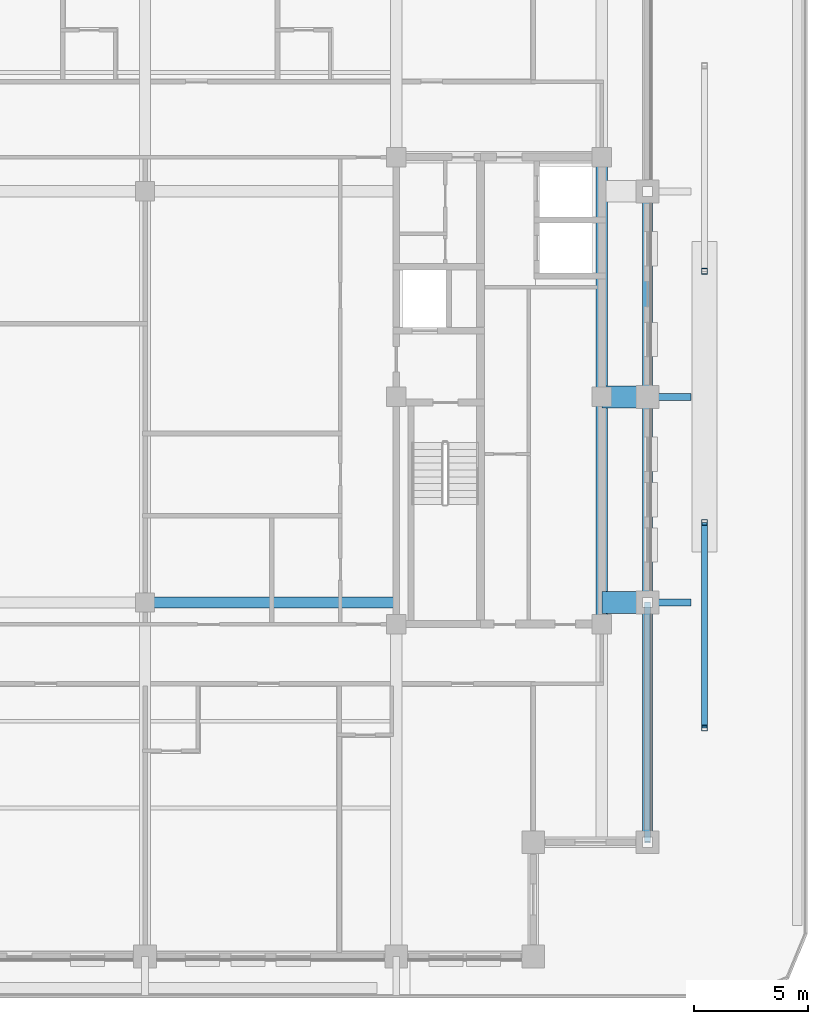
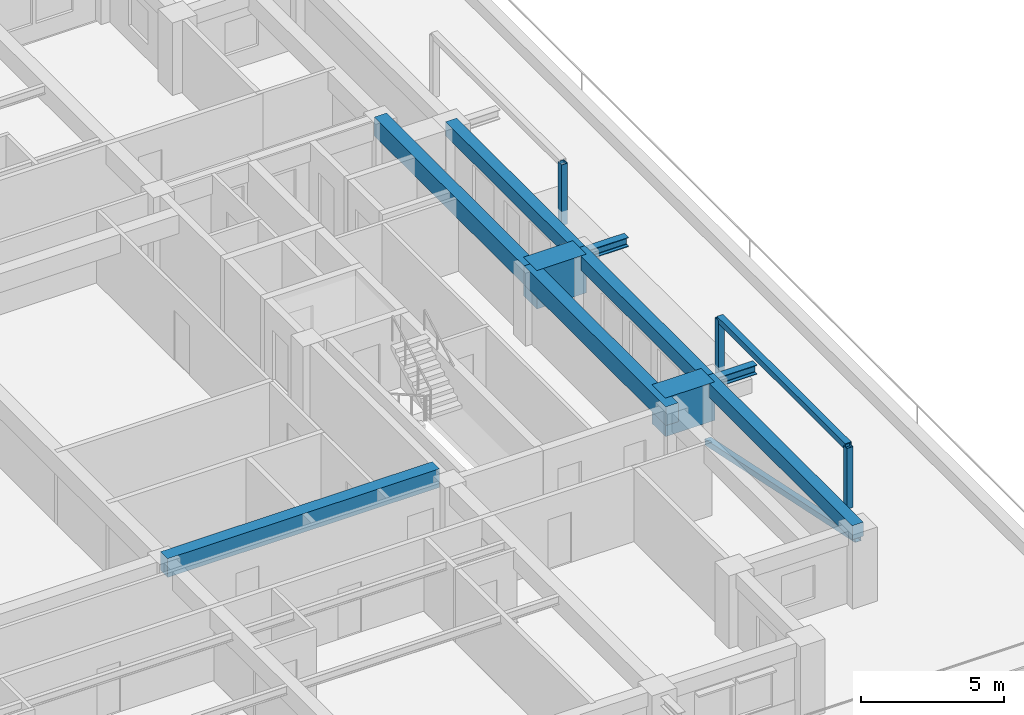
# One storey, part 2 of 18: 10 beams, 5 members.
"""IFC4 building model written with IfcOpenShell, lengths in metres."""

from ifc_helpers import new_model, si_unit, direction, frame, origin, origin_2d, place, context, subcontext, project, spatial, rectangle, hollow_rectangle, i_section, extrude, material, material_profile, profile_set, type_object, element, save


model = new_model("IFC4")

# Units and contexts
model_context = context("Model", 3, precision=1e-05, world=origin(), true_north=direction((0.0, 1.0)))
body_context = subcontext(model_context, "Body", "Model", "MODEL_VIEW")
ifc_project = project(units=[si_unit("LENGTHUNIT", "METRE"), si_unit("AREAUNIT", "SQUARE_METRE"), si_unit("VOLUMEUNIT", "CUBIC_METRE"), si_unit("PLANEANGLEUNIT", "RADIAN"), si_unit("MASSUNIT", "GRAM", prefix="KILO")], contexts=[model_context])

# Site, building, storey
site_placement = place(None, origin())
site = spatial("IfcSite", under=ifc_project, at=site_placement, CompositionType="ELEMENT")
building_placement = place(site_placement, origin())
building = spatial("IfcBuilding", under=site, at=building_placement, Name="Zulmaris Gate Convention Tower", CompositionType="ELEMENT")
storey_placement = place(building_placement, frame((0.0, 0.0, 191.4599609375)))
storey = spatial("IfcBuildingStorey", under=building, at=storey_placement, Name="L49", CompositionType="ELEMENT", Elevation=191.4599609375)

# Beams
ifc_material_1 = material(Name="Steel S355", Category="steel")
ifc_material_profile_1 = material_profile(ifc_material_1, i_section(OverallWidth=0.300048828125, OverallDepth=0.39990234375, WebThickness=0.013427734375, FlangeThickness=0.02392578125, FilletRadius=0.027099609375, at=origin_2d()), Name="HEB 400")
ifc_profile_set_1 = profile_set([ifc_material_profile_1], Name="Steel S355")
beam_type_1 = type_object("IfcBeamType", Name="BM-HEB400", PredefinedType="BEAM", material=ifc_profile_set_1)
for number, where, z_axis, x_axis, name in (
    (1, (22.0, -9.0, 2.784912109375), (1.0, 0.0, 0.0), (0.0, 1.0, 0.0), "L49 Beam TBRK-L49-E--9"),
    (2, (22.0, 0.0, 2.784912109375), (1.0, 0.0, 0.0), (0.0, 1.0, 0.0), "L49 Beam TBRK-L49-E-+0"),
):
    element("IfcBeam", number, at=place(storey_placement, frame(where, z_axis=z_axis, x_axis=x_axis)), inside=storey, type_object=beam_type_1, Name=name, PredefinedType="BEAM", context=body_context, shape_type="SweptSolid", body=[
        extrude(i_section(OverallWidth=0.300048828125, OverallDepth=0.39990234375, WebThickness=0.013427734375, FlangeThickness=0.02392578125, FilletRadius=0.027099609375, at=origin_2d()), origin(), (0.0, 0.0, 1.0), 1.89990234375),
    ])
ifc_material_2 = material(Name="Concrete C50/60", Category="concrete")
ifc_material_profile_2 = material_profile(ifc_material_2, rectangle(XDim=0.5, YDim=0.800048828125, at=origin_2d()), Name="RC BEAM 500x800")
ifc_profile_set_2 = profile_set([ifc_material_profile_2], Name="Concrete C50/60")
beam_type_2 = type_object("IfcBeamType", Name="BM-RC500x800", PredefinedType="BEAM", material=ifc_profile_set_2)
beam_1_placement = place(storey_placement, frame((0.0, -9.0, 2.724853515625), z_axis=(1.0, 0.0, 0.0), x_axis=(0.0, 1.0, 0.0)))
element("IfcBeam", 3, at=beam_1_placement, inside=storey, type_object=beam_type_2, Name="L49 Beam BM-L49-G02", PredefinedType="BEAM", context=body_context, shape_type="SweptSolid", body=[
    extrude(rectangle(XDim=0.5, YDim=0.800048828125, at=origin_2d()), origin(), (0.0, 0.0, 1.0), 11.0),
])
beam_2_placement = place(storey_placement, frame((20.0, -9.949951171875, 2.724853515625), z_axis=(0.0, 1.0, 0.0), x_axis=(-1.0, 0.0, 0.0)))
element("IfcBeam", 4, at=beam_2_placement, inside=storey, type_object=beam_type_2, Name="L49 Beam BM-L49-G28", PredefinedType="BEAM", context=body_context, shape_type="SweptSolid", body=[
    extrude(rectangle(XDim=0.5, YDim=0.800048828125, at=origin_2d()), origin(), (0.0, 0.0, 1.0), 9.949951171875),
])
beam_3_placement = place(storey_placement, frame((20.0, 0.0, 2.724853515625), z_axis=(0.0, 1.0, 0.0), x_axis=(-1.0, 0.0, 0.0)))
element("IfcBeam", 5, at=beam_3_placement, inside=storey, type_object=beam_type_2, Name="L49 Beam BM-L49-G29", PredefinedType="BEAM", context=body_context, shape_type="SweptSolid", body=[
    extrude(rectangle(XDim=0.5, YDim=0.800048828125, at=origin_2d()), origin(), (0.0, 0.0, 1.0), 10.5),
])
ifc_material_3 = material(Name="Precast concrete C50/60", Category="concrete")
ifc_material_profile_3 = material_profile(ifc_material_3, rectangle(XDim=0.449951171875, YDim=0.60009765625, at=origin_2d()), Name="RC SPANDREL 450x600")
ifc_profile_set_3 = profile_set([ifc_material_profile_3], Name="Precast concrete C50/60")
beam_type_3 = type_object("IfcBeamType", Name="BM-SP450x600", PredefinedType="SPANDREL", material=ifc_profile_set_3)
beam_4_placement = place(storey_placement, frame((22.0, -19.5, 2.824951171875), z_axis=(0.0, 1.0, 0.0), x_axis=(-1.0, 0.0, 0.0)))
element("IfcBeam", 6, at=beam_4_placement, inside=storey, type_object=beam_type_3, Name="L49 Spandrel SP-L49-07", PredefinedType="SPANDREL", context=body_context, shape_type="SweptSolid", body=[
    extrude(rectangle(XDim=0.449951171875, YDim=0.60009765625, at=origin_2d()), origin(), (0.0, 0.0, 1.0), 10.5),
])
for number, where, z_axis, x_axis, name in (
    (7, (22.0, -9.0, 2.824951171875), (0.0, 1.0, 0.0), (-1.0, 0.0, 0.0), "L49 Spandrel SP-L49-08"),
    (8, (22.0, 0.0, 2.824951171875), (0.0, 1.0, 0.0), (-1.0, 0.0, 0.0), "L49 Spandrel SP-L49-09"),
):
    element("IfcBeam", number, at=place(storey_placement, frame(where, z_axis=z_axis, x_axis=x_axis)), inside=storey, type_object=beam_type_3, Name=name, PredefinedType="SPANDREL", context=body_context, shape_type="SweptSolid", body=[
        extrude(rectangle(XDim=0.449951171875, YDim=0.60009765625, at=origin_2d()), origin(), (0.0, 0.0, 1.0), 9.0),
    ])
ifc_material_4 = material(Name="Concrete C80/95", Category="concrete")
ifc_material_profile_4 = material_profile(ifc_material_4, rectangle(XDim=0.949951171875, YDim=1.64990234375, at=origin_2d()), Name="RC TRANSFER 950x1650")
ifc_profile_set_4 = profile_set([ifc_material_profile_4], Name="Concrete C80/95")
beam_type_4 = type_object("IfcBeamType", Name="BM-XFER1650", PredefinedType="BEAM", material=ifc_profile_set_4)
for number, where, z_axis, x_axis, name in (
    (9, (20.0, -9.0, 2.300048828125), (1.0, 0.0, 0.0), (0.0, 1.0, 0.0), "L49 Beam BM-L49-G19"),
    (10, (20.0, 0.0, 2.300048828125), (1.0, 0.0, 0.0), (0.0, 1.0, 0.0), "L49 Beam BM-L49-G20"),
):
    element("IfcBeam", number, at=place(storey_placement, frame(where, z_axis=z_axis, x_axis=x_axis)), inside=storey, type_object=beam_type_4, Name=name, PredefinedType="BEAM", context=body_context, shape_type="SweptSolid", body=[
        extrude(rectangle(XDim=0.949951171875, YDim=1.64990234375, at=origin_2d()), origin(), (0.0, 0.0, 1.0), 2.0),
    ])

# Members
ifc_material_profile_5 = material_profile(ifc_material_1, hollow_rectangle(XDim=0.25, YDim=0.25, WallThickness=0.012451171875, at=origin_2d()), Name="SHS 250x250x12.5")
ifc_profile_set_5 = profile_set([ifc_material_profile_5], Name="Steel S355")
member_type_1 = type_object("IfcMemberType", Name="BR-SHS250", PredefinedType="BRACE", material=ifc_profile_set_5)
member_1_placement = place(storey_placement, frame((22.0, -9.0, 0.300048828125), z_axis=(0.0, -0.978656608688, 0.205502414273), x_axis=(1.0, 0.0, 0.0)))
element("IfcMember", 11, at=member_1_placement, inside=storey, type_object=member_type_1, Name="L49 Perimeter Tube Diagonal SE-E", PredefinedType="BRACE", context=body_context, shape_type="SweptSolid", body=[
    extrude(hollow_rectangle(XDim=0.25, YDim=0.25, WallThickness=0.012451171875, at=origin_2d()), origin(), (0.0, 0.0, 1.0), 10.72900390625),
])
ifc_material_profile_6 = material_profile(ifc_material_1, hollow_rectangle(XDim=0.25, YDim=0.25, WallThickness=0.012451171875, at=origin_2d()), Name="SHS 250x250x12.5")
ifc_profile_set_6 = profile_set([ifc_material_profile_6], Name="Steel S355")
member_type_2 = type_object("IfcMemberType", Name="ST-SHS250", PredefinedType="STRUT", material=ifc_profile_set_6)
for number, where, z_axis, x_axis, name in (
    (12, (24.5, -14.5, -0.0400390625), (0.0, 0.0, 1.0), (1.0, 0.0, 0.0), "L49 Exposed Terrace Planted Pergola Post 1A"),
    (13, (24.5, -5.5, -0.0400390625), (0.0, 0.0, 1.0), (1.0, 0.0, 0.0), "L49 Exposed Terrace Planted Pergola Post 1B"),
):
    element("IfcMember", number, at=place(storey_placement, frame(where, z_axis=z_axis, x_axis=x_axis)), inside=storey, type_object=member_type_2, Name=name, PredefinedType="STRUT", context=body_context, shape_type="SweptSolid", body=[
        extrude(hollow_rectangle(XDim=0.25, YDim=0.25, WallThickness=0.012451171875, at=origin_2d()), origin(), (0.0, 0.0, 1.0), 2.60009765625),
    ])
member_2_placement = place(storey_placement, frame((24.5, -14.5, 2.56005859375), z_axis=(0.0, 1.0, 0.0), x_axis=(-1.0, 0.0, 0.0)))
element("IfcMember", 14, at=member_2_placement, inside=storey, type_object=member_type_2, Name="L49 Exposed Terrace Planted Pergola Beam 1", PredefinedType="STRUT", context=body_context, shape_type="SweptSolid", body=[
    extrude(hollow_rectangle(XDim=0.25, YDim=0.25, WallThickness=0.012451171875, at=origin_2d()), origin(), (0.0, 0.0, 1.0), 9.0),
])
member_3_placement = place(storey_placement, frame((24.5, 5.5, -0.0400390625), z_axis=(0.0, 0.0, 1.0), x_axis=(1.0, 0.0, 0.0)))
element("IfcMember", 15, at=member_3_placement, inside=storey, type_object=member_type_2, Name="L49 Exposed Terrace Planted Pergola Post 2A", PredefinedType="STRUT", context=body_context, shape_type="SweptSolid", body=[
    extrude(hollow_rectangle(XDim=0.25, YDim=0.25, WallThickness=0.012451171875, at=origin_2d()), origin(), (0.0, 0.0, 1.0), 2.60009765625),
])

save(model, "model.ifc")
